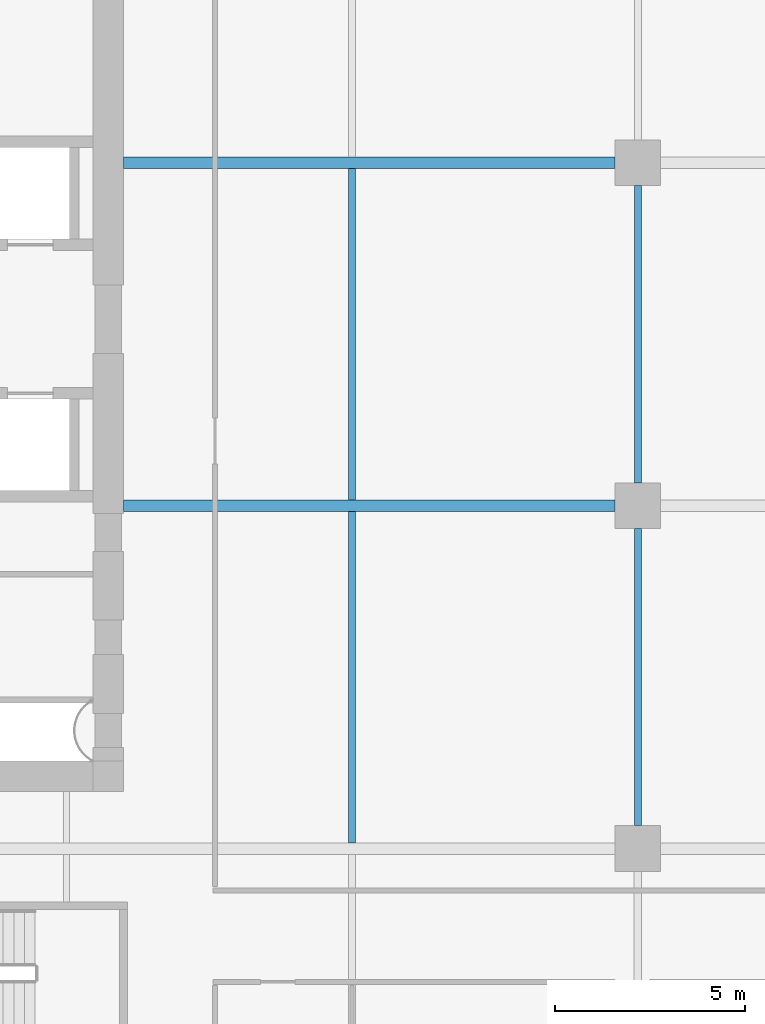
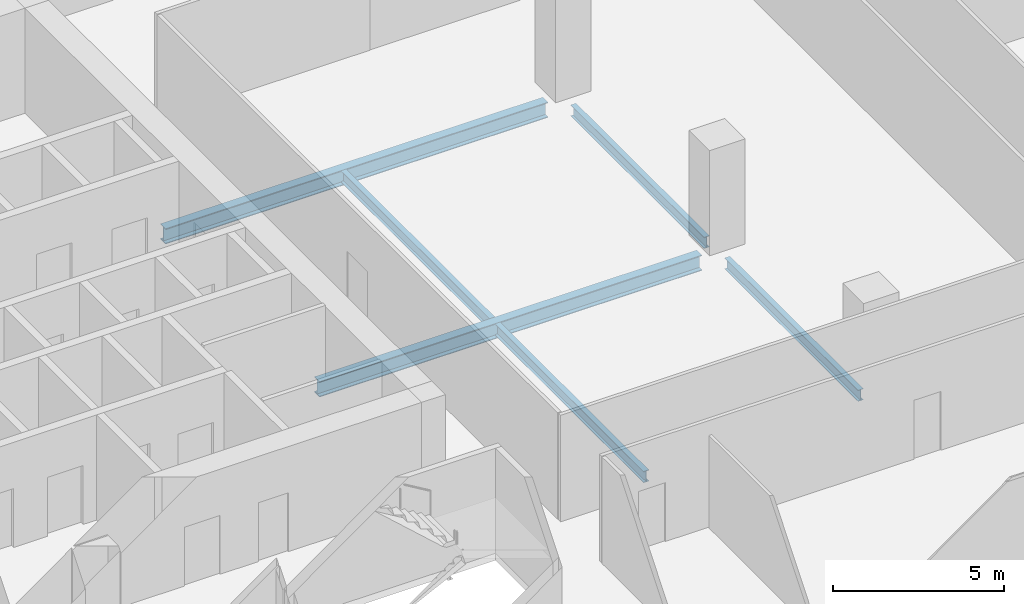
# One storey, part 9 of 40: 6 beams.
"""IFC4 building model written with IfcOpenShell, lengths in metres."""

from ifc_helpers import new_model, si_unit, direction, frame, origin, origin_2d, place, context, subcontext, project, spatial, i_section, extrude, source, transform, mapped, material, material_profile, profile_set, type_object, element, save


model = new_model("IFC4")

# Units and contexts
model_context = context("Model", 3, precision=1e-05, world=origin(), true_north=direction((0.0, 1.0)))
body_context = subcontext(model_context, "Body", "Model", "MODEL_VIEW")
ifc_project = project(units=[si_unit("LENGTHUNIT", "METRE"), si_unit("AREAUNIT", "SQUARE_METRE"), si_unit("VOLUMEUNIT", "CUBIC_METRE"), si_unit("PLANEANGLEUNIT", "RADIAN"), si_unit("MASSUNIT", "GRAM", prefix="KILO")], contexts=[model_context])

# Site, building, storey
site_placement = place(None, origin())
site = spatial("IfcSite", under=ifc_project, at=site_placement, CompositionType="ELEMENT")
building_placement = place(site_placement, origin())
building = spatial("IfcBuilding", under=site, at=building_placement, Name="Khomas Fold Tower", CompositionType="ELEMENT")
storey_placement = place(building_placement, frame((0.0, 0.0, 204.699951171875)))
storey = spatial("IfcBuildingStorey", under=building, at=storey_placement, Name="L45", CompositionType="ELEMENT", Elevation=204.699951171875)

# Beams
ifc_material_1 = material(Name="Steel S355", Category="steel")
ifc_material_profile_1 = material_profile(ifc_material_1, i_section(OverallWidth=0.179931640625, OverallDepth=0.39990234375, WebThickness=0.008544921875, FlangeThickness=0.013427734375, at=origin_2d()), Name="IPE 400")
ifc_profile_set_1 = profile_set([ifc_material_profile_1], Name="Steel S355")
beam_type_1 = type_object("IfcBeamType", Name="IPE 400 beam JB3", PredefinedType="BEAM", material=ifc_profile_set_1)
shared_shape_1 = source(origin(), body_context, "Body", "SweptSolid", [
    extrude(i_section(OverallWidth=0.179931640625, OverallDepth=0.39990234375, WebThickness=0.008544921875, FlangeThickness=0.013427734375, at=origin_2d()), origin(), (0.0, 0.0, 1.0), 8.7001953125),
])
for number, where, z_axis, x_axis, name in (
    (1, (27.0, 13.64990234375, -0.449951171875), (0.0, 1.0, 0.0), (-1.0, 0.0, 0.0), "JB3"),
    (2, (27.0, 22.64990234375, -0.449951171875), (0.0, 1.0, 0.0), (-1.0, 0.0, 0.0), "JB3"),
):
    element("IfcBeam", number, at=place(storey_placement, frame(where, z_axis=z_axis, x_axis=x_axis)), inside=storey, type_object=beam_type_1, Name=name, PredefinedType="BEAM", context=body_context, shape_type="MappedRepresentation", body=[
        mapped(shared_shape_1, transform((0.0, 0.0, 0.0))),
    ])
ifc_material_2 = material(Name="Steel S355", Category="steel")
ifc_material_profile_2 = material_profile(ifc_material_2, i_section(OverallWidth=0.300048828125, OverallDepth=0.550048828125, WebThickness=0.014892578125, FlangeThickness=0.029052734375, at=origin_2d()), Name="HE 550 B")
ifc_profile_set_2 = profile_set([ifc_material_profile_2], Name="Steel S355")
beam_type_2 = type_object("IfcBeamType", Name="HE 550 B beam GB4", PredefinedType="BEAM", material=ifc_profile_set_2)
shared_shape_2 = source(origin(), body_context, "Body", "SweptSolid", [
    extrude(i_section(OverallWidth=0.300048828125, OverallDepth=0.550048828125, WebThickness=0.014892578125, FlangeThickness=0.029052734375, at=origin_2d()), origin(), (0.0, 0.0, 1.0), 12.89990234375),
])
for number, where, z_axis, x_axis, name in (
    (3, (21.0, 22.5, -0.52490234375), (1.0, 0.0, 0.0), (0.0, 1.0, 0.0), "GB4"),
    (4, (21.0, 31.5, -0.52490234375), (1.0, 0.0, 0.0), (0.0, 1.0, 0.0), "GB4"),
):
    element("IfcBeam", number, at=place(storey_placement, frame(where, z_axis=z_axis, x_axis=x_axis)), inside=storey, type_object=beam_type_2, Name=name, PredefinedType="BEAM", context=body_context, shape_type="MappedRepresentation", body=[
        mapped(shared_shape_2, transform((0.0, 0.0, 0.0))),
    ])
shared_shape_3 = source(origin(), body_context, "Body", "SweptSolid", [
    extrude(i_section(OverallWidth=0.179931640625, OverallDepth=0.39990234375, WebThickness=0.008544921875, FlangeThickness=0.013427734375, at=origin_2d()), origin(), (0.0, 0.0, 1.0), 7.7998046875),
])
for number, where, z_axis, x_axis, name in (
    (5, (34.5, 14.10009765625, -0.449951171875), (0.0, 1.0, 0.0), (-1.0, 0.0, 0.0), "JB3"),
    (6, (34.5, 23.10009765625, -0.449951171875), (0.0, 1.0, 0.0), (-1.0, 0.0, 0.0), "JB3"),
):
    element("IfcBeam", number, at=place(storey_placement, frame(where, z_axis=z_axis, x_axis=x_axis)), inside=storey, type_object=beam_type_1, Name=name, PredefinedType="BEAM", context=body_context, shape_type="MappedRepresentation", body=[
        mapped(shared_shape_3, transform((0.0, 0.0, 0.0))),
    ])

save(model, "model.ifc")
